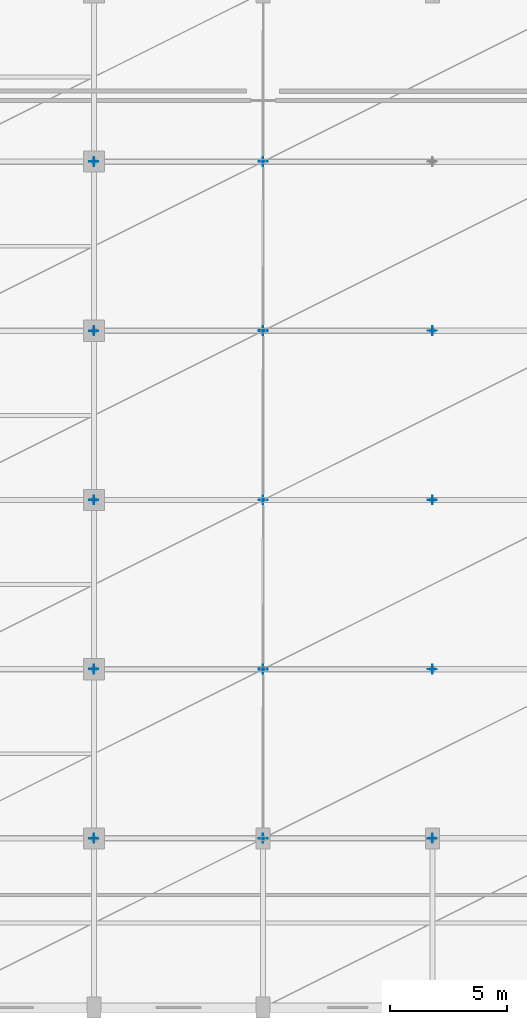
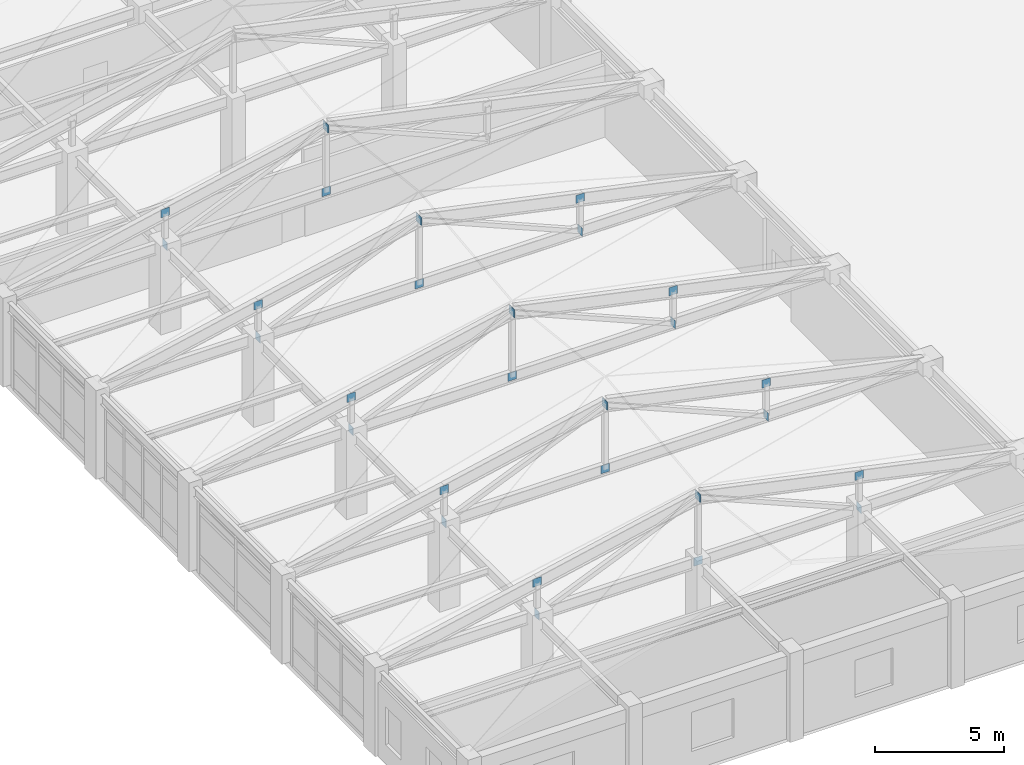
# One storey, part 84 of 113: 28 plates.
"""IFC4 building model written with IfcOpenShell, lengths in metres."""

from ifc_helpers import new_model, si_unit, direction, frame, origin, origin_2d, place, context, subcontext, project, spatial, rectangle, extrude, material, layer, layer_set, type_object, element, save


model = new_model("IFC4")

# Units and contexts
model_context = context("Model", 3, precision=1e-05, world=origin(), true_north=direction((0.0, 1.0)))
body_context = subcontext(model_context, "Body", "Model", "MODEL_VIEW")
ifc_project = project(units=[si_unit("LENGTHUNIT", "METRE"), si_unit("AREAUNIT", "SQUARE_METRE"), si_unit("VOLUMEUNIT", "CUBIC_METRE"), si_unit("PLANEANGLEUNIT", "RADIAN"), si_unit("MASSUNIT", "GRAM", prefix="KILO")], contexts=[model_context])

# Site, building, storey
site_placement = place(None, origin())
site = spatial("IfcSite", under=ifc_project, at=site_placement, CompositionType="ELEMENT")
building_placement = place(site_placement, origin())
building = spatial("IfcBuilding", under=site, at=building_placement, Name="Carrowvane Square Congress Hotel", CompositionType="ELEMENT")
storey_placement = place(building_placement, frame((0.0, 0.0, 15.0)))
storey = spatial("IfcBuildingStorey", under=building, at=storey_placement, Name="L03", CompositionType="ELEMENT", Elevation=15.0)

# Plates
ifc_material_1 = material(Name="Steel S355", Category="steel")
ifc_layer_1 = layer(ifc_material_1, 0.02001953125)
ifc_layer_set_1 = layer_set([ifc_layer_1], Name="Steel S355")
plate_type_1 = type_object("IfcPlateType", Name="PLT-GUS-20", PredefinedType="SHEET", material=ifc_layer_set_1)
plate_1_placement = place(storey_placement, frame((141.199951171875, 12.60009765625, 3.66015625), z_axis=(0.0, 0.0, 1.0), x_axis=(1.0, 0.0, 0.0)))
element("IfcPlate", 1, at=plate_1_placement, inside=storey, type_object=plate_type_1, Name="L03 brace connection end plate 201", PredefinedType="SHEET", context=body_context, shape_type="SweptSolid", body=[
    extrude(rectangle(XDim=0.02001953125, YDim=0.3798828125, at=origin_2d()), origin(), (0.0, 0.0, 1.0), 0.3798828125),
])
plate_2_placement = place(storey_placement, frame((141.199951171875, 12.60009765625, 5.180419921875), z_axis=(0.0, 0.0, 1.0), x_axis=(1.0, 0.0, 0.0)))
element("IfcPlate", 2, at=plate_2_placement, inside=storey, type_object=plate_type_1, Name="L03 brace connection end plate 204", PredefinedType="SHEET", context=body_context, shape_type="SweptSolid", body=[
    extrude(rectangle(XDim=0.3798828125, YDim=0.02001953125, at=origin_2d()), origin(), (0.0, 0.0, 1.0), 0.3798828125),
])
plate_3_placement = place(storey_placement, frame((141.199951171875, 19.800048828125, 3.66015625), z_axis=(0.0, 0.0, 1.0), x_axis=(1.0, 0.0, 0.0)))
element("IfcPlate", 3, at=plate_3_placement, inside=storey, type_object=plate_type_1, Name="L03 brace connection end plate 207", PredefinedType="SHEET", context=body_context, shape_type="SweptSolid", body=[
    extrude(rectangle(XDim=0.02001953125, YDim=0.3798828125, at=origin_2d()), origin(), (0.0, 0.0, 1.0), 0.3798828125),
])
plate_4_placement = place(storey_placement, frame((141.199951171875, 19.800048828125, 5.180419921875), z_axis=(0.0, 0.0, 1.0), x_axis=(1.0, 0.0, 0.0)))
element("IfcPlate", 4, at=plate_4_placement, inside=storey, type_object=plate_type_1, Name="L03 brace connection end plate 210", PredefinedType="SHEET", context=body_context, shape_type="SweptSolid", body=[
    extrude(rectangle(XDim=0.3798828125, YDim=0.02001953125, at=origin_2d()), origin(), (0.0, 0.0, 1.0), 0.3798828125),
])
plate_5_placement = place(storey_placement, frame((141.199951171875, 27.0, 3.66015625), z_axis=(0.0, 0.0, 1.0), x_axis=(1.0, 0.0, 0.0)))
element("IfcPlate", 5, at=plate_5_placement, inside=storey, type_object=plate_type_1, Name="L03 brace connection end plate 213", PredefinedType="SHEET", context=body_context, shape_type="SweptSolid", body=[
    extrude(rectangle(XDim=0.02001953125, YDim=0.3798828125, at=origin_2d()), origin(), (0.0, 0.0, 1.0), 0.3798828125),
])
plate_6_placement = place(storey_placement, frame((141.199951171875, 27.0, 5.180419921875), z_axis=(0.0, 0.0, 1.0), x_axis=(1.0, 0.0, 0.0)))
element("IfcPlate", 6, at=plate_6_placement, inside=storey, type_object=plate_type_1, Name="L03 brace connection end plate 216", PredefinedType="SHEET", context=body_context, shape_type="SweptSolid", body=[
    extrude(rectangle(XDim=0.3798828125, YDim=0.02001953125, at=origin_2d()), origin(), (0.0, 0.0, 1.0), 0.3798828125),
])
plate_7_placement = place(storey_placement, frame((141.199951171875, 34.199951171875, 3.66015625), z_axis=(0.0, 0.0, 1.0), x_axis=(1.0, 0.0, 0.0)))
element("IfcPlate", 7, at=plate_7_placement, inside=storey, type_object=plate_type_1, Name="L03 brace connection end plate 219", PredefinedType="SHEET", context=body_context, shape_type="SweptSolid", body=[
    extrude(rectangle(XDim=0.02001953125, YDim=0.3798828125, at=origin_2d()), origin(), (0.0, 0.0, 1.0), 0.3798828125),
])
plate_8_placement = place(storey_placement, frame((141.199951171875, 34.199951171875, 5.180419921875), z_axis=(0.0, 0.0, 1.0), x_axis=(1.0, 0.0, 0.0)))
element("IfcPlate", 8, at=plate_8_placement, inside=storey, type_object=plate_type_1, Name="L03 brace connection end plate 222", PredefinedType="SHEET", context=body_context, shape_type="SweptSolid", body=[
    extrude(rectangle(XDim=0.3798828125, YDim=0.02001953125, at=origin_2d()), origin(), (0.0, 0.0, 1.0), 0.3798828125),
])
plate_9_placement = place(storey_placement, frame((141.199951171875, 41.39990234375, 3.66015625), z_axis=(0.0, 0.0, 1.0), x_axis=(1.0, 0.0, 0.0)))
element("IfcPlate", 9, at=plate_9_placement, inside=storey, type_object=plate_type_1, Name="L03 brace connection end plate 225", PredefinedType="SHEET", context=body_context, shape_type="SweptSolid", body=[
    extrude(rectangle(XDim=0.02001953125, YDim=0.3798828125, at=origin_2d()), origin(), (0.0, 0.0, 1.0), 0.3798828125),
])
plate_10_placement = place(storey_placement, frame((141.199951171875, 41.39990234375, 5.180419921875), z_axis=(0.0, 0.0, 1.0), x_axis=(1.0, 0.0, 0.0)))
element("IfcPlate", 10, at=plate_10_placement, inside=storey, type_object=plate_type_1, Name="L03 brace connection end plate 228", PredefinedType="SHEET", context=body_context, shape_type="SweptSolid", body=[
    extrude(rectangle(XDim=0.3798828125, YDim=0.02001953125, at=origin_2d()), origin(), (0.0, 0.0, 1.0), 0.3798828125),
])
ifc_material_2 = material(Name="Steel S355", Category="steel")
ifc_layer_2 = layer(ifc_material_2, 0.030029296875)
ifc_layer_set_2 = layer_set([ifc_layer_2], Name="Steel S355")
plate_type_2 = type_object("IfcPlateType", Name="PLT-GUS-30", PredefinedType="USERDEFINED", material=ifc_layer_set_2)
plate_11_placement = place(storey_placement, frame((148.39990234375, 12.60009765625, 6.7109375), z_axis=(0.0, 0.0, 1.0), x_axis=(1.0, 0.0, 0.0)))
element("IfcPlate", 11, at=plate_11_placement, inside=storey, type_object=plate_type_2, Name="L03 brace connection end plate 202", ObjectType="GUSSET PLATE", PredefinedType="USERDEFINED", context=body_context, shape_type="SweptSolid", body=[
    extrude(rectangle(XDim=0.030029296875, YDim=0.3798828125, at=origin_2d()), origin(), (0.0, 0.0, 1.0), 0.3798828125),
])
plate_12_placement = place(storey_placement, frame((148.39990234375, 12.60009765625, 3.66015625), z_axis=(0.0, 0.0, 1.0), x_axis=(1.0, 0.0, 0.0)))
element("IfcPlate", 12, at=plate_12_placement, inside=storey, type_object=plate_type_2, Name="L03 brace connection end plate 205", ObjectType="GUSSET PLATE", PredefinedType="USERDEFINED", context=body_context, shape_type="SweptSolid", body=[
    extrude(rectangle(XDim=0.3798828125, YDim=0.030029296875, at=origin_2d()), origin(), (0.0, 0.0, 1.0), 0.3798828125),
])
plate_13_placement = place(storey_placement, frame((148.39990234375, 19.800048828125, 6.7109375), z_axis=(0.0, 0.0, 1.0), x_axis=(1.0, 0.0, 0.0)))
element("IfcPlate", 13, at=plate_13_placement, inside=storey, type_object=plate_type_2, Name="L03 brace connection end plate 208", ObjectType="GUSSET PLATE", PredefinedType="USERDEFINED", context=body_context, shape_type="SweptSolid", body=[
    extrude(rectangle(XDim=0.030029296875, YDim=0.3798828125, at=origin_2d()), origin(), (0.0, 0.0, 1.0), 0.3798828125),
])
plate_14_placement = place(storey_placement, frame((148.39990234375, 19.800048828125, 3.66015625), z_axis=(0.0, 0.0, 1.0), x_axis=(1.0, 0.0, 0.0)))
element("IfcPlate", 14, at=plate_14_placement, inside=storey, type_object=plate_type_2, Name="L03 brace connection end plate 211", ObjectType="GUSSET PLATE", PredefinedType="USERDEFINED", context=body_context, shape_type="SweptSolid", body=[
    extrude(rectangle(XDim=0.3798828125, YDim=0.030029296875, at=origin_2d()), origin(), (0.0, 0.0, 1.0), 0.3798828125),
])
plate_15_placement = place(storey_placement, frame((148.39990234375, 27.0, 6.7109375), z_axis=(0.0, 0.0, 1.0), x_axis=(1.0, 0.0, 0.0)))
element("IfcPlate", 15, at=plate_15_placement, inside=storey, type_object=plate_type_2, Name="L03 brace connection end plate 214", ObjectType="GUSSET PLATE", PredefinedType="USERDEFINED", context=body_context, shape_type="SweptSolid", body=[
    extrude(rectangle(XDim=0.030029296875, YDim=0.3798828125, at=origin_2d()), origin(), (0.0, 0.0, 1.0), 0.3798828125),
])
plate_16_placement = place(storey_placement, frame((148.39990234375, 27.0, 3.66015625), z_axis=(0.0, 0.0, 1.0), x_axis=(1.0, 0.0, 0.0)))
element("IfcPlate", 16, at=plate_16_placement, inside=storey, type_object=plate_type_2, Name="L03 brace connection end plate 217", ObjectType="GUSSET PLATE", PredefinedType="USERDEFINED", context=body_context, shape_type="SweptSolid", body=[
    extrude(rectangle(XDim=0.3798828125, YDim=0.030029296875, at=origin_2d()), origin(), (0.0, 0.0, 1.0), 0.3798828125),
])
plate_17_placement = place(storey_placement, frame((148.39990234375, 34.199951171875, 6.7109375), z_axis=(0.0, 0.0, 1.0), x_axis=(1.0, 0.0, 0.0)))
element("IfcPlate", 17, at=plate_17_placement, inside=storey, type_object=plate_type_2, Name="L03 brace connection end plate 220", ObjectType="GUSSET PLATE", PredefinedType="USERDEFINED", context=body_context, shape_type="SweptSolid", body=[
    extrude(rectangle(XDim=0.030029296875, YDim=0.3798828125, at=origin_2d()), origin(), (0.0, 0.0, 1.0), 0.3798828125),
])
plate_18_placement = place(storey_placement, frame((148.39990234375, 34.199951171875, 3.66015625), z_axis=(0.0, 0.0, 1.0), x_axis=(1.0, 0.0, 0.0)))
element("IfcPlate", 18, at=plate_18_placement, inside=storey, type_object=plate_type_2, Name="L03 brace connection end plate 223", ObjectType="GUSSET PLATE", PredefinedType="USERDEFINED", context=body_context, shape_type="SweptSolid", body=[
    extrude(rectangle(XDim=0.3798828125, YDim=0.030029296875, at=origin_2d()), origin(), (0.0, 0.0, 1.0), 0.3798828125),
])
plate_19_placement = place(storey_placement, frame((148.39990234375, 41.39990234375, 6.7109375), z_axis=(0.0, 0.0, 1.0), x_axis=(1.0, 0.0, 0.0)))
element("IfcPlate", 19, at=plate_19_placement, inside=storey, type_object=plate_type_2, Name="L03 brace connection end plate 226", ObjectType="GUSSET PLATE", PredefinedType="USERDEFINED", context=body_context, shape_type="SweptSolid", body=[
    extrude(rectangle(XDim=0.030029296875, YDim=0.3798828125, at=origin_2d()), origin(), (0.0, 0.0, 1.0), 0.3798828125),
])
plate_20_placement = place(storey_placement, frame((148.39990234375, 41.39990234375, 3.66015625), z_axis=(0.0, 0.0, 1.0), x_axis=(1.0, 0.0, 0.0)))
element("IfcPlate", 20, at=plate_20_placement, inside=storey, type_object=plate_type_2, Name="L03 brace connection end plate 229", ObjectType="GUSSET PLATE", PredefinedType="USERDEFINED", context=body_context, shape_type="SweptSolid", body=[
    extrude(rectangle(XDim=0.3798828125, YDim=0.030029296875, at=origin_2d()), origin(), (0.0, 0.0, 1.0), 0.3798828125),
])
ifc_material_3 = material(Name="Steel S355", Category="steel")
ifc_layer_3 = layer(ifc_material_3, 0.01611328125)
ifc_layer_set_3 = layer_set([ifc_layer_3], Name="Steel S355")
plate_type_3 = type_object("IfcPlateType", Name="PLT-STF-16", PredefinedType="USERDEFINED", material=ifc_layer_set_3)
plate_21_placement = place(storey_placement, frame((155.60009765625, 12.60009765625, 3.66015625), z_axis=(0.0, 0.0, 1.0), x_axis=(1.0, 0.0, 0.0)))
element("IfcPlate", 21, at=plate_21_placement, inside=storey, type_object=plate_type_3, Name="L03 brace connection end plate 203", ObjectType="STIFFENER PLATE", PredefinedType="USERDEFINED", context=body_context, shape_type="SweptSolid", body=[
    extrude(rectangle(XDim=0.01611328125, YDim=0.3798828125, at=origin_2d()), origin(), (0.0, 0.0, 1.0), 0.3798828125),
])
plate_22_placement = place(storey_placement, frame((155.60009765625, 12.60009765625, 5.180419921875), z_axis=(0.0, 0.0, 1.0), x_axis=(1.0, 0.0, 0.0)))
element("IfcPlate", 22, at=plate_22_placement, inside=storey, type_object=plate_type_3, Name="L03 brace connection end plate 206", ObjectType="STIFFENER PLATE", PredefinedType="USERDEFINED", context=body_context, shape_type="SweptSolid", body=[
    extrude(rectangle(XDim=0.3798828125, YDim=0.01611328125, at=origin_2d()), origin(), (0.0, 0.0, 1.0), 0.3798828125),
])
plate_23_placement = place(storey_placement, frame((155.60009765625, 19.800048828125, 3.66015625), z_axis=(0.0, 0.0, 1.0), x_axis=(1.0, 0.0, 0.0)))
element("IfcPlate", 23, at=plate_23_placement, inside=storey, type_object=plate_type_3, Name="L03 brace connection end plate 209", ObjectType="STIFFENER PLATE", PredefinedType="USERDEFINED", context=body_context, shape_type="SweptSolid", body=[
    extrude(rectangle(XDim=0.01611328125, YDim=0.3798828125, at=origin_2d()), origin(), (0.0, 0.0, 1.0), 0.3798828125),
])
plate_24_placement = place(storey_placement, frame((155.60009765625, 19.800048828125, 5.180419921875), z_axis=(0.0, 0.0, 1.0), x_axis=(1.0, 0.0, 0.0)))
element("IfcPlate", 24, at=plate_24_placement, inside=storey, type_object=plate_type_3, Name="L03 brace connection end plate 212", ObjectType="STIFFENER PLATE", PredefinedType="USERDEFINED", context=body_context, shape_type="SweptSolid", body=[
    extrude(rectangle(XDim=0.3798828125, YDim=0.01611328125, at=origin_2d()), origin(), (0.0, 0.0, 1.0), 0.3798828125),
])
plate_25_placement = place(storey_placement, frame((155.60009765625, 27.0, 3.66015625), z_axis=(0.0, 0.0, 1.0), x_axis=(1.0, 0.0, 0.0)))
element("IfcPlate", 25, at=plate_25_placement, inside=storey, type_object=plate_type_3, Name="L03 brace connection end plate 215", ObjectType="STIFFENER PLATE", PredefinedType="USERDEFINED", context=body_context, shape_type="SweptSolid", body=[
    extrude(rectangle(XDim=0.01611328125, YDim=0.3798828125, at=origin_2d()), origin(), (0.0, 0.0, 1.0), 0.3798828125),
])
plate_26_placement = place(storey_placement, frame((155.60009765625, 27.0, 5.180419921875), z_axis=(0.0, 0.0, 1.0), x_axis=(1.0, 0.0, 0.0)))
element("IfcPlate", 26, at=plate_26_placement, inside=storey, type_object=plate_type_3, Name="L03 brace connection end plate 218", ObjectType="STIFFENER PLATE", PredefinedType="USERDEFINED", context=body_context, shape_type="SweptSolid", body=[
    extrude(rectangle(XDim=0.3798828125, YDim=0.01611328125, at=origin_2d()), origin(), (0.0, 0.0, 1.0), 0.3798828125),
])
plate_27_placement = place(storey_placement, frame((155.60009765625, 34.199951171875, 3.66015625), z_axis=(0.0, 0.0, 1.0), x_axis=(1.0, 0.0, 0.0)))
element("IfcPlate", 27, at=plate_27_placement, inside=storey, type_object=plate_type_3, Name="L03 brace connection end plate 221", ObjectType="STIFFENER PLATE", PredefinedType="USERDEFINED", context=body_context, shape_type="SweptSolid", body=[
    extrude(rectangle(XDim=0.01611328125, YDim=0.3798828125, at=origin_2d()), origin(), (0.0, 0.0, 1.0), 0.3798828125),
])
plate_28_placement = place(storey_placement, frame((155.60009765625, 34.199951171875, 5.180419921875), z_axis=(0.0, 0.0, 1.0), x_axis=(1.0, 0.0, 0.0)))
element("IfcPlate", 28, at=plate_28_placement, inside=storey, type_object=plate_type_3, Name="L03 brace connection end plate 224", ObjectType="STIFFENER PLATE", PredefinedType="USERDEFINED", context=body_context, shape_type="SweptSolid", body=[
    extrude(rectangle(XDim=0.3798828125, YDim=0.01611328125, at=origin_2d()), origin(), (0.0, 0.0, 1.0), 0.3798828125),
])

save(model, "model.ifc")
